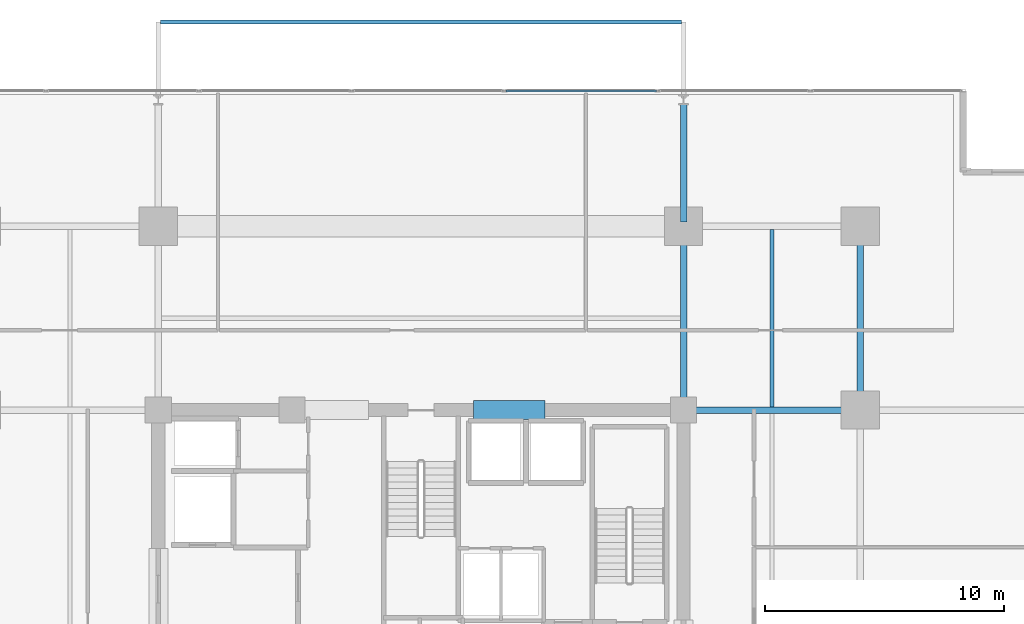
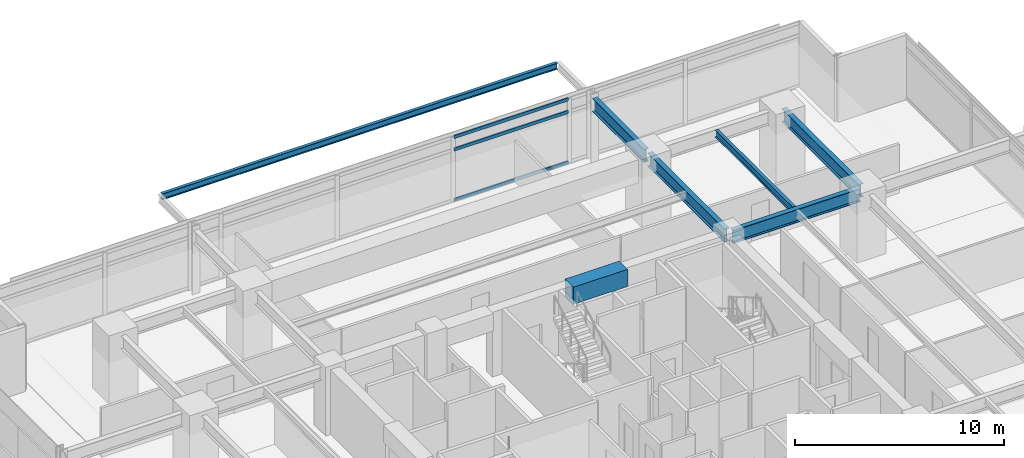
# One storey, part 10 of 24: 7 beams, 3 members, 1 element without a shape of its own.
"""IFC4 building model written with IfcOpenShell, lengths in metres."""

from ifc_helpers import new_model, si_unit, direction, frame, origin, origin_2d, place, context, subcontext, project, spatial, rectangle, hollow_rectangle, i_section, extrude, material, material_profile, profile_set, type_object, element, aggregate, save


model = new_model("IFC4")

# Units and contexts
model_context = context("Model", 3, precision=1e-05, world=origin(), true_north=direction((0.0, 1.0)))
body_context = subcontext(model_context, "Body", "Model", "MODEL_VIEW")
ifc_project = project(units=[si_unit("LENGTHUNIT", "METRE"), si_unit("AREAUNIT", "SQUARE_METRE"), si_unit("VOLUMEUNIT", "CUBIC_METRE"), si_unit("PLANEANGLEUNIT", "RADIAN"), si_unit("MASSUNIT", "GRAM", prefix="KILO")], contexts=[model_context])

# Site, building, storey
site_placement = place(None, origin())
site = spatial("IfcSite", under=ifc_project, at=site_placement, CompositionType="ELEMENT")
building_placement = place(site_placement, origin())
building = spatial("IfcBuilding", under=site, at=building_placement, Name="Kovane Verandah Tower", CompositionType="ELEMENT")
storey_placement = place(building_placement, frame((0.0, 0.0, 144.39990234375)))
storey = spatial("IfcBuildingStorey", under=building, at=storey_placement, Name="L33", CompositionType="ELEMENT", Elevation=144.39990234375)

# Beams
ifc_material_1 = material(Name="Concrete C60/75", Category="concrete")
ifc_material_profile_1 = material_profile(ifc_material_1, rectangle(XDim=0.800048828125, YDim=1.0, at=origin_2d()), Name="RCB800x1000")
ifc_profile_set_1 = profile_set([ifc_material_profile_1], Name="Concrete C60/75")
beam_type_1 = type_object("IfcBeamType", Name="BM-LINTEL-800x1000", PredefinedType="LINTEL", material=ifc_profile_set_1)
beam_1_placement = place(storey_placement, frame((42.199951171875, 36.5, 3.275146484375), z_axis=(1.0, 0.0, 0.0), x_axis=(0.0, 1.0, 0.0)))
element("IfcBeam", 1, at=beam_1_placement, inside=storey, type_object=beam_type_1, Name="L33 Core Coupling Lintel CL-N2", PredefinedType="LINTEL", context=body_context, shape_type="SweptSolid", body=[
    extrude(rectangle(XDim=0.800048828125, YDim=1.0, at=origin_2d()), origin(), (0.0, 0.0, 1.0), 3.0),
])
ifc_material_2 = material(Name="Steel S355", Category="steel")
ifc_material_profile_2 = material_profile(ifc_material_2, i_section(OverallWidth=0.26806640625, OverallDepth=0.769775390625, WebThickness=0.015625, FlangeThickness=0.025390625, FilletRadius=0.0166015625, at=origin_2d()), Name="UB762x267x197")
ifc_profile_set_2 = profile_set([ifc_material_profile_2], Name="Steel S355")
beam_type_2 = type_object("IfcBeamType", Name="BM-UB762x197", PredefinedType="BEAM", material=ifc_profile_set_2)
beam_2_placement = place(storey_placement, frame((58.39990234375, 36.679931640625, 3.39013671875), z_axis=(0.0, 1.0, 0.0), x_axis=(-1.0, 0.0, 0.0)))
element("IfcBeam", 2, at=beam_2_placement, inside=storey, type_object=beam_type_2, Name="L33 Primary Tower Girder G-RE3", PredefinedType="BEAM", context=body_context, shape_type="SweptSolid", body=[
    extrude(i_section(OverallWidth=0.26806640625, OverallDepth=0.769775390625, WebThickness=0.015625, FlangeThickness=0.025390625, FilletRadius=0.0166015625, at=origin_2d()), origin(), (0.0, 0.0, 1.0), 7.340087890625),
])
beam_3_placement = place(storey_placement, frame((51.179931640625, 36.5, 3.39013671875), z_axis=(1.0, 0.0, 0.0), x_axis=(0.0, 1.0, 0.0)))
element("IfcBeam", 3, at=beam_3_placement, inside=storey, type_object=beam_type_2, Name="L33 Primary Tower Girder G-E2", PredefinedType="BEAM", context=body_context, shape_type="SweptSolid", body=[
    extrude(i_section(OverallWidth=0.26806640625, OverallDepth=0.769775390625, WebThickness=0.015625, FlangeThickness=0.025390625, FilletRadius=0.0166015625, at=origin_2d()), origin(), (0.0, 0.0, 1.0), 7.0400390625),
])
beam_4_placement = place(storey_placement, frame((51.0, 36.679931640625, 3.39013671875), z_axis=(0.0, 1.0, 0.0), x_axis=(-1.0, 0.0, 0.0)))
element("IfcBeam", 4, at=beam_4_placement, inside=storey, type_object=beam_type_2, Name="L33 Primary Tower Girder G-N2", PredefinedType="BEAM", context=body_context, shape_type="SweptSolid", body=[
    extrude(i_section(OverallWidth=0.26806640625, OverallDepth=0.769775390625, WebThickness=0.015625, FlangeThickness=0.025390625, FilletRadius=0.0166015625, at=origin_2d()), origin(), (0.0, 0.0, 1.0), 7.340087890625),
])
beam_5_placement = place(storey_placement, frame((51.0, 44.3798828125, 3.375244140625), z_axis=(0.0, 1.0, 0.0), x_axis=(-1.0, 0.0, 0.0)))
element("IfcBeam", 5, at=beam_5_placement, inside=storey, type_object=beam_type_2, Name="L33 Primary Tower Girder G-VN2", PredefinedType="BEAM", context=body_context, shape_type="SweptSolid", body=[
    extrude(i_section(OverallWidth=0.26806640625, OverallDepth=0.769775390625, WebThickness=0.015625, FlangeThickness=0.025390625, FilletRadius=0.0166015625, at=origin_2d()), origin(), (0.0, 0.0, 1.0), 4.940185546875),
])

# Curtain wall, members
ifc_material_3 = material(Name="Champagne Anodised Aluminium Frame with Low-E Clear Laminated Glass", Category="aluminium")
curtain_wall_type = type_object("IfcCurtainWallType", Name="CW-SYS-03-MID", PredefinedType="NOTDEFINED", material=ifc_material_3)
curtain_wall_placement = place(storey_placement, origin())
curtain_wall = element("IfcCurtainWall", 6, at=curtain_wall_placement, inside=storey, type_object=curtain_wall_type, Name="L33 N Unitised Curtain Wall", PredefinedType="NOTDEFINED")
ifc_material_4 = material(Name="Champagne Anodised Aluminium 6063-T6", Category="aluminium")
ifc_material_profile_3 = material_profile(ifc_material_4, hollow_rectangle(XDim=0.0849609375, YDim=0.18994140625, WallThickness=0.00390625, at=origin_2d()), Name="AL85x190x4")
ifc_profile_set_3 = profile_set([ifc_material_profile_3], Name="Champagne Anodised Aluminium 6063-T6")
member_type = type_object("IfcMemberType", Name="CW-TRN-85x190", PredefinedType="USERDEFINED", material=ifc_profile_set_3)
member_1_placement = place(storey_placement, frame((49.85791015625, 49.875, 0.050048828125), z_axis=(-1.0, 0.0, 0.0), x_axis=(0.0, -1.0, 0.0)))
member_1 = element("IfcMember", 7, at=member_1_placement, type_object=member_type, Name="L33 N Unitised Curtain Wall Transom TB Bay 3", ObjectType="TRANSOM", PredefinedType="USERDEFINED", context=body_context, shape_type="SweptSolid", body=[
    extrude(hollow_rectangle(XDim=0.0849609375, YDim=0.18994140625, WallThickness=0.00390625, at=origin_2d()), origin(), (0.0, 0.0, 1.0), 6.30322265625),
])
member_2_placement = place(storey_placement, frame((49.85791015625, 49.875, 2.9951171875), z_axis=(-1.0, 0.0, 0.0), x_axis=(0.0, -1.0, 0.0)))
member_2 = element("IfcMember", 8, at=member_2_placement, type_object=member_type, Name="L33 N Unitised Curtain Wall Transom TM Bay 3", ObjectType="TRANSOM", PredefinedType="USERDEFINED", context=body_context, shape_type="SweptSolid", body=[
    extrude(hollow_rectangle(XDim=0.0849609375, YDim=0.18994140625, WallThickness=0.00390625, at=origin_2d()), origin(), (0.0, 0.0, 1.0), 6.30322265625),
])
member_3_placement = place(storey_placement, frame((49.85791015625, 49.875, 3.72509765625), z_axis=(-1.0, 0.0, 0.0), x_axis=(0.0, -1.0, 0.0)))
member_3 = element("IfcMember", 9, at=member_3_placement, type_object=member_type, Name="L33 N Unitised Curtain Wall Transom TT Bay 3", ObjectType="TRANSOM", PredefinedType="USERDEFINED", context=body_context, shape_type="SweptSolid", body=[
    extrude(hollow_rectangle(XDim=0.0849609375, YDim=0.18994140625, WallThickness=0.00390625, at=origin_2d()), origin(), (0.0, 0.0, 1.0), 6.30322265625),
])
aggregate(curtain_wall, [member_1, member_2, member_3])

# Beams
ifc_material_profile_4 = material_profile(ifc_material_2, i_section(OverallWidth=0.179443359375, OverallDepth=0.412841796875, WebThickness=0.009521484375, FlangeThickness=0.01611328125, FilletRadius=0.01025390625, at=origin_2d()), Name="UB406x178x74")
ifc_profile_set_4 = profile_set([ifc_material_profile_4], Name="Steel S355")
beam_type_3 = type_object("IfcBeamType", Name="JST-UB406x74", PredefinedType="JOIST", material=ifc_profile_set_4)
beam_6_placement = place(storey_placement, frame((54.699951171875, 36.632080078125, 3.568603515625), z_axis=(0.0, 1.0, 0.0), x_axis=(-1.0, 0.0, 0.0)))
element("IfcBeam", 10, at=beam_6_placement, inside=storey, type_object=beam_type_3, Name="L33 Secondary Composite Joist J-NE1", PredefinedType="JOIST", context=body_context, shape_type="SweptSolid", body=[
    extrude(i_section(OverallWidth=0.179443359375, OverallDepth=0.412841796875, WebThickness=0.009521484375, FlangeThickness=0.01611328125, FilletRadius=0.01025390625, at=origin_2d()), origin(), (0.0, 0.0, 1.0), 7.43603515625),
])
ifc_material_profile_5 = material_profile(ifc_material_2, i_section(OverallWidth=0.173095703125, OverallDepth=0.36328125, WebThickness=0.009033203125, FlangeThickness=0.015625, FilletRadius=0.01025390625, at=origin_2d()), Name="UB356x171x67")
ifc_profile_set_5 = profile_set([ifc_material_profile_5], Name="Steel S355")
beam_type_4 = type_object("IfcBeamType", Name="SPD-UB356x67", PredefinedType="USERDEFINED", material=ifc_profile_set_5)
beam_7_placement = place(storey_placement, frame((29.094482421875, 52.753662109375, 3.578369140625), z_axis=(1.0, 0.0, 0.0), x_axis=(0.0, 1.0, 0.0)))
element("IfcBeam", 11, at=beam_7_placement, inside=storey, type_object=beam_type_4, Name="L33 North Planter Edge Spandrel", ObjectType="SPANDREL", PredefinedType="USERDEFINED", context=body_context, shape_type="SweptSolid", body=[
    extrude(i_section(OverallWidth=0.173095703125, OverallDepth=0.36328125, WebThickness=0.009033203125, FlangeThickness=0.015625, FilletRadius=0.01025390625, at=origin_2d()), origin(), (0.0, 0.0, 1.0), 21.81103515625),
])

save(model, "model.ifc")
